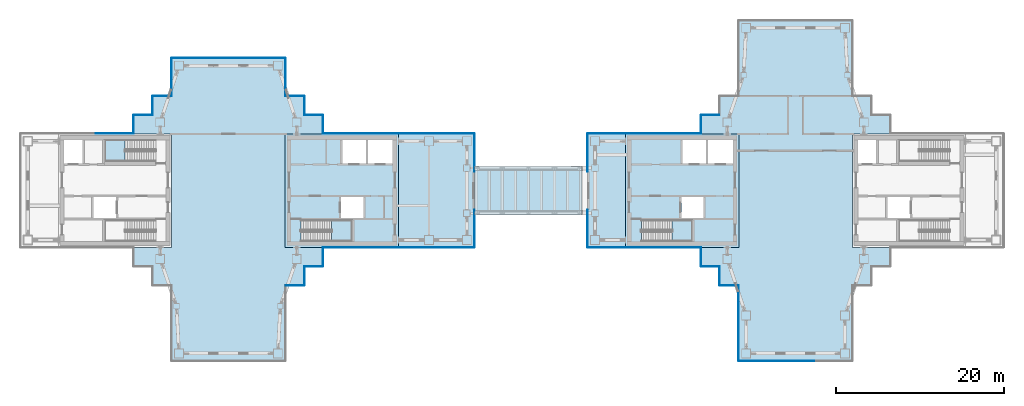
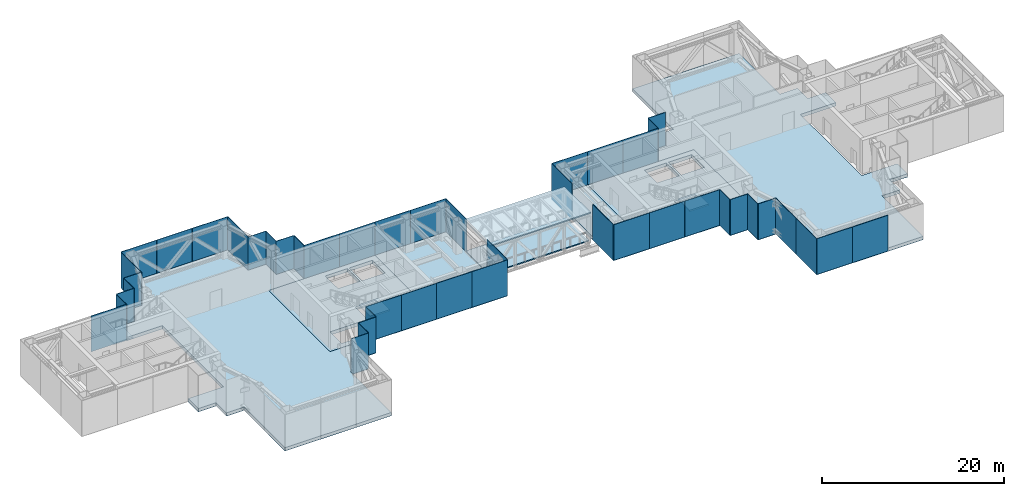
# One storey, part 8 of 21: 46 plates, 11 slabs, 24 elements without a shape of their own.
"""IFC4 building model written with IfcOpenShell, lengths in metres."""

from ifc_helpers import new_model, si_unit, direction, frame, origin, origin_2d, place, context, subcontext, project, spatial, polyline, rectangle, outline, extrude, material, layer, layer_set, type_object, element, aggregate, save


model = new_model("IFC4")

# Units and contexts
model_context = context("Model", 3, precision=1e-05, world=origin(), true_north=direction((0.0, 1.0)))
body_context = subcontext(model_context, "Body", "Model", "MODEL_VIEW")
ifc_project = project(units=[si_unit("LENGTHUNIT", "METRE"), si_unit("AREAUNIT", "SQUARE_METRE"), si_unit("VOLUMEUNIT", "CUBIC_METRE"), si_unit("PLANEANGLEUNIT", "RADIAN"), si_unit("MASSUNIT", "GRAM", prefix="KILO")], contexts=[model_context])

# Site, building, storey
site_placement = place(None, origin())
site = spatial("IfcSite", under=ifc_project, at=site_placement, CompositionType="ELEMENT")
building_placement = place(site_placement, origin())
building = spatial("IfcBuilding", under=site, at=building_placement, Name="Shamsa Quay Exchange Towers", CompositionType="ELEMENT")
storey_placement = place(building_placement, frame((0.0, 0.0, 177.89990234375)))
storey = spatial("IfcBuildingStorey", under=building, at=storey_placement, Name="L42", CompositionType="ELEMENT", Elevation=177.89990234375)

# Slabs
ifc_material_1 = material(Name="Concrete C50/60", Category="concrete")
ifc_layer_1 = layer(ifc_material_1, 0.449951171875)
ifc_layer_set_1 = layer_set([ifc_layer_1], Name="CORE FLOOR 450 C50/60")
slab_type_1 = type_object("IfcSlabType", Name="CORE FLOOR 450 C50/60", PredefinedType="FLOOR", material=ifc_layer_set_1)
slab_1_placement = place(storey_placement, frame((0.0, 0.0, -0.449951171875)))
element("IfcSlab", 1, at=slab_1_placement, inside=storey, type_object=slab_type_1, Name="Core floor T1A", PredefinedType="FLOOR", context=body_context, shape_type="SweptSolid", body=[
    extrude(outline(polyline([(-27.0, -6.75), (-13.5, -6.75), (-13.5, 6.75), (-27.0, 6.75), (-27.0, -6.75)]), holes=[polyline([(-25.099365234375, -6.050048828125), (-25.099365234375, -3.5), (-19.0, -3.5), (-19.0, -6.050048828125), (-25.099365234375, -6.050048828125)]), polyline([(-20.199951171875, 3.25), (-20.199951171875, 6.050048828125), (-17.39990234375, 6.050048828125), (-17.39990234375, 3.25), (-20.199951171875, 3.25)]), polyline([(-17.14990234375, 3.25), (-17.14990234375, 6.050048828125), (-14.199951171875, 6.050048828125), (-14.199951171875, 3.25), (-17.14990234375, 3.25)]), polyline([(-20.35009765625, -3.25), (-20.35009765625, -0.75), (-17.699951171875, -0.75), (-17.699951171875, -3.25), (-20.35009765625, -3.25)])]), origin(), (0.0, 0.0, 1.0), 0.449951171875),
])
slab_2_placement = place(storey_placement, frame((0.0, 0.0, -0.449951171875)))
element("IfcSlab", 2, at=slab_2_placement, inside=storey, type_object=slab_type_1, Name="Core floor T2A", PredefinedType="FLOOR", context=body_context, shape_type="SweptSolid", body=[
    extrude(outline(polyline([(13.5, -6.75), (27.0, -6.75), (27.0, 6.75), (13.5, 6.75), (13.5, -6.75)]), holes=[polyline([(15.400634765625, -6.050048828125), (15.400634765625, -3.5), (21.5, -3.5), (21.5, -6.050048828125), (15.400634765625, -6.050048828125)]), polyline([(20.300048828125, 3.25), (20.300048828125, 6.050048828125), (23.10009765625, 6.050048828125), (23.10009765625, 3.25), (20.300048828125, 3.25)]), polyline([(23.35009765625, 3.25), (23.35009765625, 6.050048828125), (26.300048828125, 6.050048828125), (26.300048828125, 3.25), (23.35009765625, 3.25)]), polyline([(20.14990234375, -3.25), (20.14990234375, -0.75), (22.800048828125, -0.75), (22.800048828125, -3.25), (20.14990234375, -3.25)])]), origin(), (0.0, 0.0, 1.0), 0.449951171875),
])

# Stair, slab
ifc_material_2 = material(Name="Concrete C40/50", Category="concrete")
stair_type = type_object("IfcStairType", Name="EXIT STAIR 28 RISERS 171 MM", PredefinedType="HALF_TURN_STAIR", material=ifc_material_2)
stair_1_placement = place(storey_placement, origin())
stair_1 = element("IfcStair", 3, at=stair_1_placement, inside=storey, type_object=stair_type, Name="L42 Exit stair ST1", PredefinedType="HALF_TURN_STAIR")
ifc_layer_2 = layer(ifc_material_2, 0.199951171875)
ifc_layer_set_2 = layer_set([ifc_layer_2], Name="CORE STAIR LANDING")
slab_type_2 = type_object("IfcSlabType", Name="CORE STAIR LANDING", PredefinedType="LANDING", material=ifc_layer_set_2)
slab_3_placement = place(storey_placement, frame((0.0, 0.0, 2.2001953125)))
slab_3 = element("IfcSlab", 4, at=slab_3_placement, type_object=slab_type_2, Name="ST1 landing 1", PredefinedType="LANDING", context=body_context, shape_type="SweptSolid", body=[
    extrude(outline(polyline([(-21.4599609375, -6.050048828125), (-19.0, -6.050048828125), (-19.0, -3.5), (-21.4599609375, -3.5), (-21.4599609375, -6.050048828125)])), origin(), (0.0, 0.0, 1.0), 0.199951171875),
])
aggregate(stair_1, [slab_3])

stair_2_placement = place(storey_placement, origin())
stair_2 = element("IfcStair", 5, at=stair_2_placement, inside=storey, type_object=stair_type, Name="L42 Exit stair ST3", PredefinedType="HALF_TURN_STAIR")
slab_4_placement = place(storey_placement, frame((0.0, 0.0, 2.2001953125)))
slab_4 = element("IfcSlab", 6, at=slab_4_placement, type_object=slab_type_2, Name="ST3 landing 1", PredefinedType="LANDING", context=body_context, shape_type="SweptSolid", body=[
    extrude(outline(polyline([(-46.0400390625, 6.050048828125), (-48.5, 6.050048828125), (-48.5, 3.5), (-46.0400390625, 3.5), (-46.0400390625, 6.050048828125)])), origin(), (0.0, 0.0, 1.0), 0.199951171875),
])
aggregate(stair_2, [slab_4])

stair_3_placement = place(storey_placement, origin())
stair_3 = element("IfcStair", 7, at=stair_3_placement, inside=storey, type_object=stair_type, Name="L42 Exit stair ST4", PredefinedType="HALF_TURN_STAIR")
slab_5_placement = place(storey_placement, frame((0.0, 0.0, 2.2001953125)))
slab_5 = element("IfcSlab", 8, at=slab_5_placement, type_object=slab_type_2, Name="ST4 landing 1", PredefinedType="LANDING", context=body_context, shape_type="SweptSolid", body=[
    extrude(outline(polyline([(19.0400390625, -6.050048828125), (21.5, -6.050048828125), (21.5, -3.5), (19.0400390625, -3.5), (19.0400390625, -6.050048828125)])), origin(), (0.0, 0.0, 1.0), 0.199951171875),
])
aggregate(stair_3, [slab_5])

# Curtain wall, plates
ifc_material_3 = material(Name="Aluminium EN AW-6063 T6, black anodised", Category="aluminium")
ifc_layer_3 = layer(ifc_material_3, 0.320068359375)
ifc_layer_set_3 = layer_set([ifc_layer_3], Name="CW-7 BELT-LEVEL LOUVRE PANEL WALL")
curtain_wall_type = type_object("IfcCurtainWallType", Name="CW-7 BELT-LEVEL LOUVRE PANEL WALL", PredefinedType="NOTDEFINED", material=ifc_layer_set_3)
curtain_wall_1_placement = place(storey_placement, origin())
curtain_wall_1 = element("IfcCurtainWall", 9, at=curtain_wall_1_placement, inside=storey, type_object=curtain_wall_type, Name="CW7 T1-FLK-U+S L42", PredefinedType="NOTDEFINED")
ifc_material_4 = material(Name="Aluminium louvre panel, black anodised, with insulated fire-rated backing", Category="aluminium")
ifc_layer_4 = layer(ifc_material_4, 0.06005859375)
ifc_layer_set_4 = layer_set([ifc_layer_4], Name="CW-7 LOUVRE PANEL 60")
plate_type = type_object("IfcPlateType", Name="CW-7 LOUVRE PANEL 60", PredefinedType="CURTAIN_PANEL", material=ifc_layer_set_4)
plate_1_placement = place(storey_placement, frame((-20.2060546875, -6.780029296875, -0.35009765625)))
plate_1 = element("IfcPlate", 10, at=plate_1_placement, type_object=plate_type, Name="CW7 glass panel", PredefinedType="CURTAIN_PANEL", context=body_context, shape_type="SweptSolid", body=[
    extrude(rectangle(XDim=4.464111328125, YDim=0.06005859375, at=origin_2d()), origin(), (0.0, 0.0, 1.0), 4.800048828125),
])
plate_2_placement = place(storey_placement, frame((-15.73193359375, -6.780029296875, -0.35009765625)))
plate_2 = element("IfcPlate", 11, at=plate_2_placement, type_object=plate_type, Name="CW7 glass panel", PredefinedType="CURTAIN_PANEL", context=body_context, shape_type="SweptSolid", body=[
    extrude(rectangle(XDim=4.464111328125, YDim=0.06005859375, at=origin_2d()), origin(), (0.0, 0.0, 1.0), 4.800048828125),
])
aggregate(curtain_wall_1, [plate_1, plate_2])

curtain_wall_2_placement = place(storey_placement, origin())
curtain_wall_2 = element("IfcCurtainWall", 12, at=curtain_wall_2_placement, inside=storey, type_object=curtain_wall_type, Name="CW7 T1-FLK-U+S L42", PredefinedType="NOTDEFINED")
plate_3_placement = place(storey_placement, frame((-11.25244140625, -6.780029296875, -0.35009765625)))
plate_3 = element("IfcPlate", 13, at=plate_3_placement, type_object=plate_type, Name="CW7 glass panel", PredefinedType="CURTAIN_PANEL", context=body_context, shape_type="SweptSolid", body=[
    extrude(rectangle(XDim=4.4951171875, YDim=0.06005859375, at=origin_2d()), origin(), (0.0, 0.0, 1.0), 4.800048828125),
])
plate_4_placement = place(storey_placement, frame((-6.74755859375, -6.780029296875, -0.35009765625)))
plate_4 = element("IfcPlate", 14, at=plate_4_placement, type_object=plate_type, Name="CW7 glass panel", PredefinedType="CURTAIN_PANEL", context=body_context, shape_type="SweptSolid", body=[
    extrude(rectangle(XDim=4.4951171875, YDim=0.06005859375, at=origin_2d()), origin(), (0.0, 0.0, 1.0), 4.800048828125),
])
aggregate(curtain_wall_2, [plate_3, plate_4])

curtain_wall_3_placement = place(storey_placement, origin())
curtain_wall_3 = element("IfcCurtainWall", 15, at=curtain_wall_3_placement, inside=storey, type_object=curtain_wall_type, Name="CW7 T1-END-U+ L42", PredefinedType="NOTDEFINED")
plate_5_placement = place(storey_placement, frame((-4.469970703125, -4.50244140625, -0.35009765625), z_axis=(0.0, 0.0, 1.0), x_axis=(0.0, 1.0, 0.0)))
plate_5 = element("IfcPlate", 16, at=plate_5_placement, type_object=plate_type, Name="CW7 glass panel", PredefinedType="CURTAIN_PANEL", context=body_context, shape_type="SweptSolid", body=[
    extrude(rectangle(XDim=4.4951171875, YDim=0.06005859375, at=origin_2d()), origin(), (0.0, 0.0, 1.0), 4.800048828125),
])
plate_6_placement = place(storey_placement, frame((-4.469970703125, 4.50244140625, -0.35009765625), z_axis=(0.0, 0.0, 1.0), x_axis=(0.0, 1.0, 0.0)))
plate_6 = element("IfcPlate", 17, at=plate_6_placement, type_object=plate_type, Name="CW7 glass panel", PredefinedType="CURTAIN_PANEL", context=body_context, shape_type="SweptSolid", body=[
    extrude(rectangle(XDim=4.4951171875, YDim=0.06005859375, at=origin_2d()), origin(), (0.0, 0.0, 1.0), 4.800048828125),
])
aggregate(curtain_wall_3, [plate_5, plate_6])

curtain_wall_4_placement = place(storey_placement, origin())
curtain_wall_4 = element("IfcCurtainWall", 18, at=curtain_wall_4_placement, inside=storey, type_object=curtain_wall_type, Name="CW7 T1-FLK-U+N L42", PredefinedType="NOTDEFINED")
plate_7_placement = place(storey_placement, frame((-6.74755859375, 6.780029296875, -0.35009765625), z_axis=(0.0, 0.0, 1.0), x_axis=(-1.0, 0.0, 0.0)))
plate_7 = element("IfcPlate", 19, at=plate_7_placement, type_object=plate_type, Name="CW7 glass panel", PredefinedType="CURTAIN_PANEL", context=body_context, shape_type="SweptSolid", body=[
    extrude(rectangle(XDim=4.4951171875, YDim=0.06005859375, at=origin_2d()), origin(), (0.0, 0.0, 1.0), 4.800048828125),
])
plate_8_placement = place(storey_placement, frame((-11.25244140625, 6.780029296875, -0.35009765625), z_axis=(0.0, 0.0, 1.0), x_axis=(-1.0, 0.0, 0.0)))
plate_8 = element("IfcPlate", 20, at=plate_8_placement, type_object=plate_type, Name="CW7 glass panel", PredefinedType="CURTAIN_PANEL", context=body_context, shape_type="SweptSolid", body=[
    extrude(rectangle(XDim=4.4951171875, YDim=0.06005859375, at=origin_2d()), origin(), (0.0, 0.0, 1.0), 4.800048828125),
])
aggregate(curtain_wall_4, [plate_7, plate_8])

curtain_wall_5_placement = place(storey_placement, origin())
curtain_wall_5 = element("IfcCurtainWall", 21, at=curtain_wall_5_placement, inside=storey, type_object=curtain_wall_type, Name="CW7 T1-FLK-U+N L42", PredefinedType="NOTDEFINED")
plate_9_placement = place(storey_placement, frame((-15.74755859375, 6.780029296875, -0.35009765625), z_axis=(0.0, 0.0, 1.0), x_axis=(-1.0, 0.0, 0.0)))
plate_9 = element("IfcPlate", 22, at=plate_9_placement, type_object=plate_type, Name="CW7 glass panel", PredefinedType="CURTAIN_PANEL", context=body_context, shape_type="SweptSolid", body=[
    extrude(rectangle(XDim=4.4951171875, YDim=0.06005859375, at=origin_2d()), origin(), (0.0, 0.0, 1.0), 4.800048828125),
])
plate_10_placement = place(storey_placement, frame((-20.25244140625, 6.780029296875, -0.35009765625), z_axis=(0.0, 0.0, 1.0), x_axis=(-1.0, 0.0, 0.0)))
plate_10 = element("IfcPlate", 23, at=plate_10_placement, type_object=plate_type, Name="CW7 glass panel", PredefinedType="CURTAIN_PANEL", context=body_context, shape_type="SweptSolid", body=[
    extrude(rectangle(XDim=4.4951171875, YDim=0.06005859375, at=origin_2d()), origin(), (0.0, 0.0, 1.0), 4.800048828125),
])
aggregate(curtain_wall_5, [plate_9, plate_10])

# Curtain wall, plate
curtain_wall_6_placement = place(storey_placement, origin())
curtain_wall_6 = element("IfcCurtainWall", 24, at=curtain_wall_6_placement, inside=storey, type_object=curtain_wall_type, Name="CW7 T1-FLK-V+E L42", PredefinedType="NOTDEFINED")
plate_11_placement = place(storey_placement, frame((-26.969970703125, 13.531005859375, -0.35009765625), z_axis=(0.0, 0.0, 1.0), x_axis=(0.0, 1.0, 0.0)))
plate_11 = element("IfcPlate", 25, at=plate_11_placement, type_object=plate_type, Name="CW7 glass panel", PredefinedType="CURTAIN_PANEL", context=body_context, shape_type="SweptSolid", body=[
    extrude(rectangle(XDim=4.43798828125, YDim=0.06005859375, at=origin_2d()), origin(), (0.0, 0.0, 1.0), 4.800048828125),
])
aggregate(curtain_wall_6, [plate_11])

# Curtain wall, plates
curtain_wall_7_placement = place(storey_placement, origin())
curtain_wall_7 = element("IfcCurtainWall", 26, at=curtain_wall_7_placement, inside=storey, type_object=curtain_wall_type, Name="CW7 T1-END-V+ L42", PredefinedType="NOTDEFINED")
plate_12_placement = place(storey_placement, frame((-29.24755859375, 15.780029296875, -0.35009765625), z_axis=(0.0, 0.0, 1.0), x_axis=(-1.0, 0.0, 0.0)))
plate_12 = element("IfcPlate", 27, at=plate_12_placement, type_object=plate_type, Name="CW7 glass panel", PredefinedType="CURTAIN_PANEL", context=body_context, shape_type="SweptSolid", body=[
    extrude(rectangle(XDim=4.4951171875, YDim=0.06005859375, at=origin_2d()), origin(), (0.0, 0.0, 1.0), 4.800048828125),
])
plate_13_placement = place(storey_placement, frame((-33.75, 15.780029296875, -0.35009765625), z_axis=(0.0, 0.0, 1.0), x_axis=(-1.0, 0.0, 0.0)))
plate_13 = element("IfcPlate", 28, at=plate_13_placement, type_object=plate_type, Name="CW7 glass panel", PredefinedType="CURTAIN_PANEL", context=body_context, shape_type="SweptSolid", body=[
    extrude(rectangle(XDim=4.489990234375, YDim=0.06005859375, at=origin_2d()), origin(), (0.0, 0.0, 1.0), 4.800048828125),
])
plate_14_placement = place(storey_placement, frame((-38.25244140625, 15.780029296875, -0.35009765625), z_axis=(0.0, 0.0, 1.0), x_axis=(-1.0, 0.0, 0.0)))
plate_14 = element("IfcPlate", 29, at=plate_14_placement, type_object=plate_type, Name="CW7 glass panel", PredefinedType="CURTAIN_PANEL", context=body_context, shape_type="SweptSolid", body=[
    extrude(rectangle(XDim=4.4951171875, YDim=0.06005859375, at=origin_2d()), origin(), (0.0, 0.0, 1.0), 4.800048828125),
])
aggregate(curtain_wall_7, [plate_12, plate_13, plate_14])

# Curtain wall, plate
curtain_wall_8_placement = place(storey_placement, origin())
curtain_wall_8 = element("IfcCurtainWall", 30, at=curtain_wall_8_placement, inside=storey, type_object=curtain_wall_type, Name="CW7 T1-FLK-V+W L42", PredefinedType="NOTDEFINED")
plate_15_placement = place(storey_placement, frame((-40.530029296875, 13.5, -0.35009765625), z_axis=(0.0, 0.0, 1.0), x_axis=(0.0, -1.0, 0.0)))
plate_15 = element("IfcPlate", 31, at=plate_15_placement, type_object=plate_type, Name="CW7 glass panel", PredefinedType="CURTAIN_PANEL", context=body_context, shape_type="SweptSolid", body=[
    extrude(rectangle(XDim=4.5, YDim=0.06005859375, at=origin_2d()), origin(), (0.0, 0.0, 1.0), 4.800048828125),
])
aggregate(curtain_wall_8, [plate_15])

curtain_wall_9_placement = place(storey_placement, origin())
curtain_wall_9 = element("IfcCurtainWall", 32, at=curtain_wall_9_placement, inside=storey, type_object=curtain_wall_type, Name="CW7 T1-FLK-U-N L42", PredefinedType="NOTDEFINED")
plate_16_placement = place(storey_placement, frame((-47.2939453125, 6.780029296875, -0.35009765625), z_axis=(0.0, 0.0, 1.0), x_axis=(-1.0, 0.0, 0.0)))
plate_16 = element("IfcPlate", 33, at=plate_16_placement, type_object=plate_type, Name="CW7 glass panel", PredefinedType="CURTAIN_PANEL", context=body_context, shape_type="SweptSolid", body=[
    extrude(rectangle(XDim=4.464111328125, YDim=0.06005859375, at=origin_2d()), origin(), (0.0, 0.0, 1.0), 4.800048828125),
])
aggregate(curtain_wall_9, [plate_16])

# Curtain wall, plates
curtain_wall_10_placement = place(storey_placement, origin())
curtain_wall_10 = element("IfcCurtainWall", 34, at=curtain_wall_10_placement, inside=storey, type_object=curtain_wall_type, Name="CW7 PKES L42", PredefinedType="NOTDEFINED")
plate_17_placement = place(storey_placement, frame((-25.843994140625, -11.280029296875, -0.35009765625)))
plate_17 = element("IfcPlate", 35, at=plate_17_placement, type_object=plate_type, Name="CW7 glass panel", PredefinedType="CURTAIN_PANEL", context=body_context, shape_type="SweptSolid", body=[
    extrude(rectangle(XDim=2.18798828125, YDim=0.06005859375, at=origin_2d()), origin(), (0.0, 0.0, 1.0), 4.800048828125),
])
plate_18_placement = place(storey_placement, frame((-24.719970703125, -10.125, -0.35009765625), z_axis=(0.0, 0.0, 1.0), x_axis=(0.0, 1.0, 0.0)))
plate_18 = element("IfcPlate", 36, at=plate_18_placement, type_object=plate_type, Name="CW7 glass panel", PredefinedType="CURTAIN_PANEL", context=body_context, shape_type="SweptSolid", body=[
    extrude(rectangle(XDim=2.25, YDim=0.06005859375, at=origin_2d()), origin(), (0.0, 0.0, 1.0), 4.800048828125),
])
plate_19_placement = place(storey_placement, frame((-23.593994140625, -9.030029296875, -0.35009765625)))
plate_19 = element("IfcPlate", 37, at=plate_19_placement, type_object=plate_type, Name="CW7 glass panel", PredefinedType="CURTAIN_PANEL", context=body_context, shape_type="SweptSolid", body=[
    extrude(rectangle(XDim=2.18798828125, YDim=0.06005859375, at=origin_2d()), origin(), (0.0, 0.0, 1.0), 4.800048828125),
])
plate_20_placement = place(storey_placement, frame((-22.469970703125, -7.875, -0.35009765625), z_axis=(0.0, 0.0, 1.0), x_axis=(0.0, 1.0, 0.0)))
plate_20 = element("IfcPlate", 38, at=plate_20_placement, type_object=plate_type, Name="CW7 glass panel", PredefinedType="CURTAIN_PANEL", context=body_context, shape_type="SweptSolid", body=[
    extrude(rectangle(XDim=2.25, YDim=0.06005859375, at=origin_2d()), origin(), (0.0, 0.0, 1.0), 4.800048828125),
])
aggregate(curtain_wall_10, [plate_17, plate_18, plate_19, plate_20])

curtain_wall_11_placement = place(storey_placement, origin())
curtain_wall_11 = element("IfcCurtainWall", 39, at=curtain_wall_11_placement, inside=storey, type_object=curtain_wall_type, Name="CW7 PKEN L42", PredefinedType="NOTDEFINED")
plate_21_placement = place(storey_placement, frame((-22.469970703125, 7.906005859375, -0.35009765625), z_axis=(0.0, 0.0, 1.0), x_axis=(0.0, 1.0, 0.0)))
plate_21 = element("IfcPlate", 40, at=plate_21_placement, type_object=plate_type, Name="CW7 glass panel", PredefinedType="CURTAIN_PANEL", context=body_context, shape_type="SweptSolid", body=[
    extrude(rectangle(XDim=2.18798828125, YDim=0.06005859375, at=origin_2d()), origin(), (0.0, 0.0, 1.0), 4.800048828125),
])
plate_22_placement = place(storey_placement, frame((-23.625, 9.030029296875, -0.35009765625), z_axis=(0.0, 0.0, 1.0), x_axis=(-1.0, 0.0, 0.0)))
plate_22 = element("IfcPlate", 41, at=plate_22_placement, type_object=plate_type, Name="CW7 glass panel", PredefinedType="CURTAIN_PANEL", context=body_context, shape_type="SweptSolid", body=[
    extrude(rectangle(XDim=2.25, YDim=0.06005859375, at=origin_2d()), origin(), (0.0, 0.0, 1.0), 4.800048828125),
])
plate_23_placement = place(storey_placement, frame((-24.719970703125, 10.156005859375, -0.35009765625), z_axis=(0.0, 0.0, 1.0), x_axis=(0.0, 1.0, 0.0)))
plate_23 = element("IfcPlate", 42, at=plate_23_placement, type_object=plate_type, Name="CW7 glass panel", PredefinedType="CURTAIN_PANEL", context=body_context, shape_type="SweptSolid", body=[
    extrude(rectangle(XDim=2.18798828125, YDim=0.06005859375, at=origin_2d()), origin(), (0.0, 0.0, 1.0), 4.800048828125),
])
plate_24_placement = place(storey_placement, frame((-25.875, 11.280029296875, -0.35009765625), z_axis=(0.0, 0.0, 1.0), x_axis=(-1.0, 0.0, 0.0)))
plate_24 = element("IfcPlate", 43, at=plate_24_placement, type_object=plate_type, Name="CW7 glass panel", PredefinedType="CURTAIN_PANEL", context=body_context, shape_type="SweptSolid", body=[
    extrude(rectangle(XDim=2.25, YDim=0.06005859375, at=origin_2d()), origin(), (0.0, 0.0, 1.0), 4.800048828125),
])
aggregate(curtain_wall_11, [plate_21, plate_22, plate_23, plate_24])

curtain_wall_12_placement = place(storey_placement, origin())
curtain_wall_12 = element("IfcCurtainWall", 44, at=curtain_wall_12_placement, inside=storey, type_object=curtain_wall_type, Name="CW7 PKWN L42", PredefinedType="NOTDEFINED")
plate_25_placement = place(storey_placement, frame((-41.656005859375, 11.280029296875, -0.35009765625), z_axis=(0.0, 0.0, 1.0), x_axis=(-1.0, 0.0, 0.0)))
plate_25 = element("IfcPlate", 45, at=plate_25_placement, type_object=plate_type, Name="CW7 glass panel", PredefinedType="CURTAIN_PANEL", context=body_context, shape_type="SweptSolid", body=[
    extrude(rectangle(XDim=2.18798828125, YDim=0.06005859375, at=origin_2d()), origin(), (0.0, 0.0, 1.0), 4.800048828125),
])
plate_26_placement = place(storey_placement, frame((-42.780029296875, 10.125, -0.35009765625), z_axis=(0.0, 0.0, 1.0), x_axis=(0.0, -1.0, 0.0)))
plate_26 = element("IfcPlate", 46, at=plate_26_placement, type_object=plate_type, Name="CW7 glass panel", PredefinedType="CURTAIN_PANEL", context=body_context, shape_type="SweptSolid", body=[
    extrude(rectangle(XDim=2.25, YDim=0.06005859375, at=origin_2d()), origin(), (0.0, 0.0, 1.0), 4.800048828125),
])
plate_27_placement = place(storey_placement, frame((-43.906005859375, 9.030029296875, -0.35009765625), z_axis=(0.0, 0.0, 1.0), x_axis=(-1.0, 0.0, 0.0)))
plate_27 = element("IfcPlate", 47, at=plate_27_placement, type_object=plate_type, Name="CW7 glass panel", PredefinedType="CURTAIN_PANEL", context=body_context, shape_type="SweptSolid", body=[
    extrude(rectangle(XDim=2.18798828125, YDim=0.06005859375, at=origin_2d()), origin(), (0.0, 0.0, 1.0), 4.800048828125),
])
plate_28_placement = place(storey_placement, frame((-45.030029296875, 7.875, -0.35009765625), z_axis=(0.0, 0.0, 1.0), x_axis=(0.0, -1.0, 0.0)))
plate_28 = element("IfcPlate", 48, at=plate_28_placement, type_object=plate_type, Name="CW7 glass panel", PredefinedType="CURTAIN_PANEL", context=body_context, shape_type="SweptSolid", body=[
    extrude(rectangle(XDim=2.25, YDim=0.06005859375, at=origin_2d()), origin(), (0.0, 0.0, 1.0), 4.800048828125),
])
aggregate(curtain_wall_12, [plate_25, plate_26, plate_27, plate_28])

curtain_wall_13_placement = place(storey_placement, origin())
curtain_wall_13 = element("IfcCurtainWall", 49, at=curtain_wall_13_placement, inside=storey, type_object=curtain_wall_type, Name="CW7 T2-FLK-V+E L42", PredefinedType="NOTDEFINED")
plate_29_placement = place(storey_placement, frame((20.2060546875, 6.780029296875, -0.35009765625), z_axis=(0.0, 0.0, 1.0), x_axis=(-1.0, 0.0, 0.0)))
plate_29 = element("IfcPlate", 50, at=plate_29_placement, type_object=plate_type, Name="CW7 glass panel", PredefinedType="CURTAIN_PANEL", context=body_context, shape_type="SweptSolid", body=[
    extrude(rectangle(XDim=4.464111328125, YDim=0.06005859375, at=origin_2d()), origin(), (0.0, 0.0, 1.0), 4.800048828125),
])
plate_30_placement = place(storey_placement, frame((15.73193359375, 6.780029296875, -0.35009765625), z_axis=(0.0, 0.0, 1.0), x_axis=(-1.0, 0.0, 0.0)))
plate_30 = element("IfcPlate", 51, at=plate_30_placement, type_object=plate_type, Name="CW7 glass panel", PredefinedType="CURTAIN_PANEL", context=body_context, shape_type="SweptSolid", body=[
    extrude(rectangle(XDim=4.464111328125, YDim=0.06005859375, at=origin_2d()), origin(), (0.0, 0.0, 1.0), 4.800048828125),
])
aggregate(curtain_wall_13, [plate_29, plate_30])

# Curtain wall, plate
curtain_wall_14_placement = place(storey_placement, origin())
curtain_wall_14 = element("IfcCurtainWall", 52, at=curtain_wall_14_placement, inside=storey, type_object=curtain_wall_type, Name="CW7 T2-FLK-V+E L42", PredefinedType="NOTDEFINED")
plate_31_placement = place(storey_placement, frame((11.25, 6.780029296875, -0.35009765625), z_axis=(0.0, 0.0, 1.0), x_axis=(-1.0, 0.0, 0.0)))
plate_31 = element("IfcPlate", 53, at=plate_31_placement, type_object=plate_type, Name="CW7 glass panel", PredefinedType="CURTAIN_PANEL", context=body_context, shape_type="SweptSolid", body=[
    extrude(rectangle(XDim=4.5, YDim=0.06005859375, at=origin_2d()), origin(), (0.0, 0.0, 1.0), 4.800048828125),
])
aggregate(curtain_wall_14, [plate_31])

# Curtain wall, plates
curtain_wall_15_placement = place(storey_placement, origin())
curtain_wall_15 = element("IfcCurtainWall", 54, at=curtain_wall_15_placement, inside=storey, type_object=curtain_wall_type, Name="CW7 T2-END-V+ L42", PredefinedType="NOTDEFINED")
plate_32_placement = place(storey_placement, frame((8.969970703125, 4.50244140625, -0.35009765625), z_axis=(0.0, 0.0, 1.0), x_axis=(0.0, -1.0, 0.0)))
plate_32 = element("IfcPlate", 55, at=plate_32_placement, type_object=plate_type, Name="CW7 glass panel", PredefinedType="CURTAIN_PANEL", context=body_context, shape_type="SweptSolid", body=[
    extrude(rectangle(XDim=4.4951171875, YDim=0.06005859375, at=origin_2d()), origin(), (0.0, 0.0, 1.0), 4.800048828125),
])
plate_33_placement = place(storey_placement, frame((8.969970703125, -4.50244140625, -0.35009765625), z_axis=(0.0, 0.0, 1.0), x_axis=(0.0, -1.0, 0.0)))
plate_33 = element("IfcPlate", 56, at=plate_33_placement, type_object=plate_type, Name="CW7 glass panel", PredefinedType="CURTAIN_PANEL", context=body_context, shape_type="SweptSolid", body=[
    extrude(rectangle(XDim=4.4951171875, YDim=0.06005859375, at=origin_2d()), origin(), (0.0, 0.0, 1.0), 4.800048828125),
])
aggregate(curtain_wall_15, [plate_32, plate_33])

# Curtain wall, plate
curtain_wall_16_placement = place(storey_placement, origin())
curtain_wall_16 = element("IfcCurtainWall", 57, at=curtain_wall_16_placement, inside=storey, type_object=curtain_wall_type, Name="CW7 T2-FLK-V+W L42", PredefinedType="NOTDEFINED")
plate_34_placement = place(storey_placement, frame((11.25, -6.780029296875, -0.35009765625)))
plate_34 = element("IfcPlate", 58, at=plate_34_placement, type_object=plate_type, Name="CW7 glass panel", PredefinedType="CURTAIN_PANEL", context=body_context, shape_type="SweptSolid", body=[
    extrude(rectangle(XDim=4.5, YDim=0.06005859375, at=origin_2d()), origin(), (0.0, 0.0, 1.0), 4.800048828125),
])
aggregate(curtain_wall_16, [plate_34])

# Curtain wall, plates
curtain_wall_17_placement = place(storey_placement, origin())
curtain_wall_17 = element("IfcCurtainWall", 59, at=curtain_wall_17_placement, inside=storey, type_object=curtain_wall_type, Name="CW7 T2-FLK-V+W L42", PredefinedType="NOTDEFINED")
plate_35_placement = place(storey_placement, frame((15.74755859375, -6.780029296875, -0.35009765625)))
plate_35 = element("IfcPlate", 60, at=plate_35_placement, type_object=plate_type, Name="CW7 glass panel", PredefinedType="CURTAIN_PANEL", context=body_context, shape_type="SweptSolid", body=[
    extrude(rectangle(XDim=4.4951171875, YDim=0.06005859375, at=origin_2d()), origin(), (0.0, 0.0, 1.0), 4.800048828125),
])
plate_36_placement = place(storey_placement, frame((20.25244140625, -6.780029296875, -0.35009765625)))
plate_36 = element("IfcPlate", 61, at=plate_36_placement, type_object=plate_type, Name="CW7 glass panel", PredefinedType="CURTAIN_PANEL", context=body_context, shape_type="SweptSolid", body=[
    extrude(rectangle(XDim=4.4951171875, YDim=0.06005859375, at=origin_2d()), origin(), (0.0, 0.0, 1.0), 4.800048828125),
])
aggregate(curtain_wall_17, [plate_35, plate_36])

curtain_wall_18_placement = place(storey_placement, origin())
curtain_wall_18 = element("IfcCurtainWall", 62, at=curtain_wall_18_placement, inside=storey, type_object=curtain_wall_type, Name="CW7 T2-FLK-U-N L42", PredefinedType="NOTDEFINED")
plate_37_placement = place(storey_placement, frame((26.969970703125, -13.5439453125, -0.35009765625), z_axis=(0.0, 0.0, 1.0), x_axis=(0.0, -1.0, 0.0)))
plate_37 = element("IfcPlate", 63, at=plate_37_placement, type_object=plate_type, Name="CW7 glass panel", PredefinedType="CURTAIN_PANEL", context=body_context, shape_type="SweptSolid", body=[
    extrude(rectangle(XDim=4.464111328125, YDim=0.06005859375, at=origin_2d()), origin(), (0.0, 0.0, 1.0), 4.800048828125),
])
plate_38_placement = place(storey_placement, frame((26.969970703125, -18.01806640625, -0.35009765625), z_axis=(0.0, 0.0, 1.0), x_axis=(0.0, -1.0, 0.0)))
plate_38 = element("IfcPlate", 64, at=plate_38_placement, type_object=plate_type, Name="CW7 glass panel", PredefinedType="CURTAIN_PANEL", context=body_context, shape_type="SweptSolid", body=[
    extrude(rectangle(XDim=4.464111328125, YDim=0.06005859375, at=origin_2d()), origin(), (0.0, 0.0, 1.0), 4.800048828125),
])
aggregate(curtain_wall_18, [plate_37, plate_38])

curtain_wall_19_placement = place(storey_placement, origin())
curtain_wall_19 = element("IfcCurtainWall", 65, at=curtain_wall_19_placement, inside=storey, type_object=curtain_wall_type, Name="CW7 T2-END-U- L42", PredefinedType="NOTDEFINED")
plate_39_placement = place(storey_placement, frame((29.24755859375, -20.280029296875, -0.35009765625)))
plate_39 = element("IfcPlate", 66, at=plate_39_placement, type_object=plate_type, Name="CW7 glass panel", PredefinedType="CURTAIN_PANEL", context=body_context, shape_type="SweptSolid", body=[
    extrude(rectangle(XDim=4.4951171875, YDim=0.06005859375, at=origin_2d()), origin(), (0.0, 0.0, 1.0), 4.800048828125),
])
plate_40_placement = place(storey_placement, frame((33.75, -20.280029296875, -0.35009765625)))
plate_40 = element("IfcPlate", 67, at=plate_40_placement, type_object=plate_type, Name="CW7 glass panel", PredefinedType="CURTAIN_PANEL", context=body_context, shape_type="SweptSolid", body=[
    extrude(rectangle(XDim=4.489990234375, YDim=0.06005859375, at=origin_2d()), origin(), (0.0, 0.0, 1.0), 4.800048828125),
])
aggregate(curtain_wall_19, [plate_39, plate_40])

curtain_wall_20_placement = place(storey_placement, origin())
curtain_wall_20 = element("IfcCurtainWall", 68, at=curtain_wall_20_placement, inside=storey, type_object=curtain_wall_type, Name="CW7 PKEN L42", PredefinedType="NOTDEFINED")
plate_41_placement = place(storey_placement, frame((23.593994140625, 9.030029296875, -0.35009765625), z_axis=(0.0, 0.0, 1.0), x_axis=(-1.0, 0.0, 0.0)))
plate_41 = element("IfcPlate", 69, at=plate_41_placement, type_object=plate_type, Name="CW7 glass panel", PredefinedType="CURTAIN_PANEL", context=body_context, shape_type="SweptSolid", body=[
    extrude(rectangle(XDim=2.18798828125, YDim=0.06005859375, at=origin_2d()), origin(), (0.0, 0.0, 1.0), 4.800048828125),
])
plate_42_placement = place(storey_placement, frame((22.469970703125, 7.875, -0.35009765625), z_axis=(0.0, 0.0, 1.0), x_axis=(0.0, -1.0, 0.0)))
plate_42 = element("IfcPlate", 70, at=plate_42_placement, type_object=plate_type, Name="CW7 glass panel", PredefinedType="CURTAIN_PANEL", context=body_context, shape_type="SweptSolid", body=[
    extrude(rectangle(XDim=2.25, YDim=0.06005859375, at=origin_2d()), origin(), (0.0, 0.0, 1.0), 4.800048828125),
])
aggregate(curtain_wall_20, [plate_41, plate_42])

curtain_wall_21_placement = place(storey_placement, origin())
curtain_wall_21 = element("IfcCurtainWall", 71, at=curtain_wall_21_placement, inside=storey, type_object=curtain_wall_type, Name="CW7 PKWN L42", PredefinedType="NOTDEFINED")
plate_43_placement = place(storey_placement, frame((22.469970703125, -7.906005859375, -0.35009765625), z_axis=(0.0, 0.0, 1.0), x_axis=(0.0, -1.0, 0.0)))
plate_43 = element("IfcPlate", 72, at=plate_43_placement, type_object=plate_type, Name="CW7 glass panel", PredefinedType="CURTAIN_PANEL", context=body_context, shape_type="SweptSolid", body=[
    extrude(rectangle(XDim=2.18798828125, YDim=0.06005859375, at=origin_2d()), origin(), (0.0, 0.0, 1.0), 4.800048828125),
])
plate_44_placement = place(storey_placement, frame((23.625, -9.030029296875, -0.35009765625)))
plate_44 = element("IfcPlate", 73, at=plate_44_placement, type_object=plate_type, Name="CW7 glass panel", PredefinedType="CURTAIN_PANEL", context=body_context, shape_type="SweptSolid", body=[
    extrude(rectangle(XDim=2.25, YDim=0.06005859375, at=origin_2d()), origin(), (0.0, 0.0, 1.0), 4.800048828125),
])
plate_45_placement = place(storey_placement, frame((24.719970703125, -10.156005859375, -0.35009765625), z_axis=(0.0, 0.0, 1.0), x_axis=(0.0, -1.0, 0.0)))
plate_45 = element("IfcPlate", 74, at=plate_45_placement, type_object=plate_type, Name="CW7 glass panel", PredefinedType="CURTAIN_PANEL", context=body_context, shape_type="SweptSolid", body=[
    extrude(rectangle(XDim=2.18798828125, YDim=0.06005859375, at=origin_2d()), origin(), (0.0, 0.0, 1.0), 4.800048828125),
])
plate_46_placement = place(storey_placement, frame((25.875, -11.280029296875, -0.35009765625)))
plate_46 = element("IfcPlate", 75, at=plate_46_placement, type_object=plate_type, Name="CW7 glass panel", PredefinedType="CURTAIN_PANEL", context=body_context, shape_type="SweptSolid", body=[
    extrude(rectangle(XDim=2.25, YDim=0.06005859375, at=origin_2d()), origin(), (0.0, 0.0, 1.0), 4.800048828125),
])
aggregate(curtain_wall_21, [plate_43, plate_44, plate_45, plate_46])

# Slabs
ifc_layer_5 = layer(ifc_material_2, 0.449951171875)
ifc_layer_set_5 = layer_set([ifc_layer_5], Name="Flat slab 450")
slab_type_3 = type_object("IfcSlabType", Name="Flat slab 450", PredefinedType="FLOOR", material=ifc_layer_set_5)
slab_6_placement = place(storey_placement, frame((0.0, 0.0, -0.449951171875)))
element("IfcSlab", 76, at=slab_6_placement, inside=storey, type_object=slab_type_3, Name="Flat slab T1 L42 2", PredefinedType="FLOOR", context=body_context, shape_type="SweptSolid", body=[
    extrude(outline(polyline([(-22.5, -9.0), (-22.5, -6.75), (-27.0, -6.75), (-27.0, 6.75), (-22.5, 6.75), (-22.5, 9.0), (-24.75, 9.0), (-24.75, 11.25), (-27.0, 11.25), (-27.0, 15.75), (-40.5, 15.75), (-40.5, 11.25), (-42.75, 11.25), (-42.75, 9.0), (-45.0, 9.0), (-45.0, 6.75), (-40.5, 6.75), (-40.5, -6.75), (-45.0, -6.75), (-45.0, -9.0), (-42.75, -9.0), (-42.75, -11.25), (-40.5, -11.25), (-40.5, -20.25), (-27.0, -20.25), (-27.0, -11.25), (-24.75, -11.25), (-24.75, -9.0), (-22.5, -9.0)])), origin(), (0.0, 0.0, 1.0), 0.449951171875),
])
slab_7_placement = place(storey_placement, frame((0.0, 0.0, -0.449951171875)))
element("IfcSlab", 77, at=slab_7_placement, inside=storey, type_object=slab_type_3, Name="Flat slab T1 L42 3", PredefinedType="FLOOR", context=body_context, shape_type="SweptSolid", body=[
    extrude(outline(polyline([(-4.5, 6.75), (-13.5, 6.75), (-13.5, -6.75), (-4.5, -6.75), (-4.5, 6.75)])), origin(), (0.0, 0.0, 1.0), 0.449951171875),
])
slab_8_placement = place(storey_placement, frame((0.0, 0.0, -0.449951171875)))
element("IfcSlab", 78, at=slab_8_placement, inside=storey, type_object=slab_type_3, Name="Flat slab T2 L42 4", PredefinedType="FLOOR", context=body_context, shape_type="SweptSolid", body=[
    extrude(outline(polyline([(9.0, -6.75), (13.5, -6.75), (13.5, 6.75), (9.0, 6.75), (9.0, -6.75)])), origin(), (0.0, 0.0, 1.0), 0.449951171875),
])
slab_9_placement = place(storey_placement, frame((0.0, 0.0, -0.449951171875)))
element("IfcSlab", 79, at=slab_9_placement, inside=storey, type_object=slab_type_3, Name="Flat slab T2 L42 5", PredefinedType="FLOOR", context=body_context, shape_type="SweptSolid", body=[
    extrude(outline(polyline([(45.0, -9.0), (45.0, -6.75), (40.5, -6.75), (40.5, 6.75), (45.0, 6.75), (45.0, 9.0), (42.75, 9.0), (42.75, 11.25), (40.5, 11.25), (40.5, 20.25), (27.0, 20.25), (27.0, 11.25), (24.75, 11.25), (24.75, 9.0), (22.5, 9.0), (22.5, 6.75), (27.0, 6.75), (27.0, -6.75), (22.5, -6.75), (22.5, -9.0), (24.75, -9.0), (24.75, -11.25), (27.0, -11.25), (27.0, -20.25), (40.5, -20.25), (40.5, -11.25), (42.75, -11.25), (42.75, -9.0), (45.0, -9.0)])), origin(), (0.0, 0.0, 1.0), 0.449951171875),
])
ifc_layer_6 = layer(ifc_material_2, 0.14990234375)
ifc_layer_set_6 = layer_set([ifc_layer_6], Name="Skybridge deck slab 150")
slab_type_4 = type_object("IfcSlabType", Name="Skybridge deck slab 150", PredefinedType="FLOOR", material=ifc_layer_set_6)
slab_10_placement = place(storey_placement, frame((0.0, 0.0, -0.14990234375)))
element("IfcSlab", 80, at=slab_10_placement, inside=storey, type_object=slab_type_4, Name="Skybridge BR3 deck", PredefinedType="FLOOR", context=body_context, shape_type="SweptSolid", body=[
    extrude(outline(polyline([(-4.449951171875, -2.513671875), (8.35009765625, -2.513671875), (8.35009765625, 2.513671875), (-4.449951171875, 2.513671875), (-4.449951171875, -2.513671875)])), origin(), (0.0, 0.0, 1.0), 0.14990234375),
])
ifc_layer_7 = layer(ifc_material_2, 0.14990234375)
ifc_layer_set_7 = layer_set([ifc_layer_7], Name="Skybridge roof slab 150")
slab_type_5 = type_object("IfcSlabType", Name="Skybridge roof slab 150", PredefinedType="ROOF", material=ifc_layer_set_7)
slab_11_placement = place(storey_placement, frame((0.0, 0.0, 3.807861328125)))
element("IfcSlab", 81, at=slab_11_placement, inside=storey, type_object=slab_type_5, Name="Skybridge BR3 roof", PredefinedType="ROOF", context=body_context, shape_type="SweptSolid", body=[
    extrude(outline(polyline([(-4.449951171875, -2.88623046875), (8.35009765625, -2.88623046875), (8.35009765625, 2.88623046875), (-4.449951171875, 2.88623046875), (-4.449951171875, -2.88623046875)])), origin(), (0.0, 0.0, 1.0), 0.150146484375),
])

save(model, "model.ifc")
